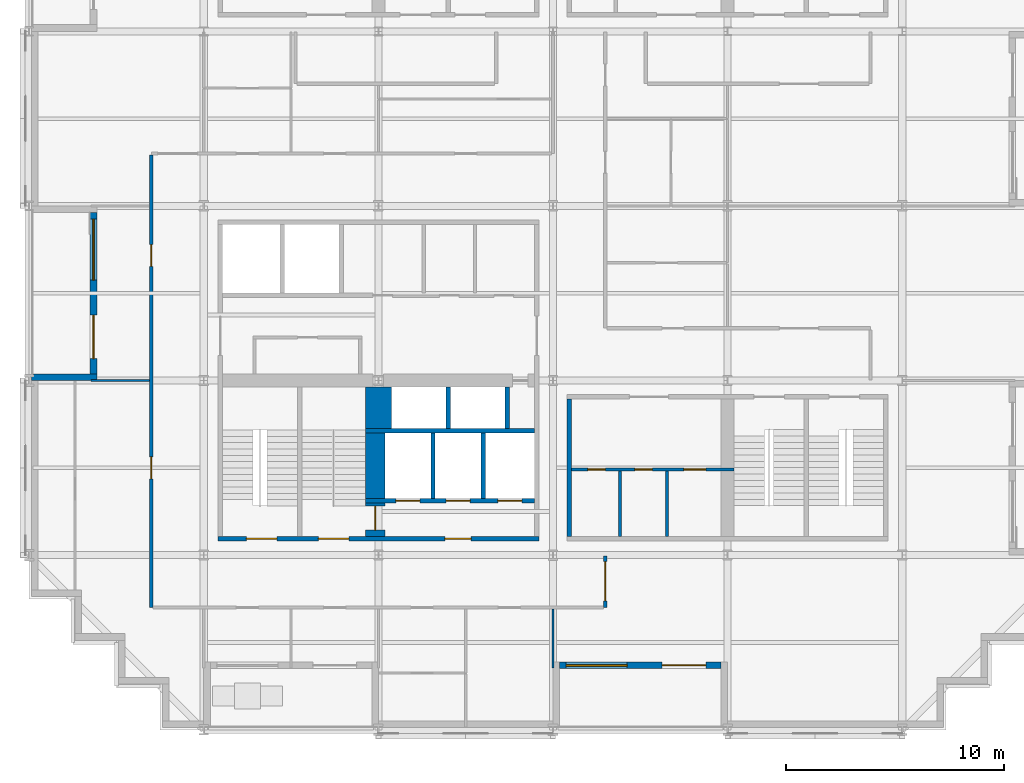
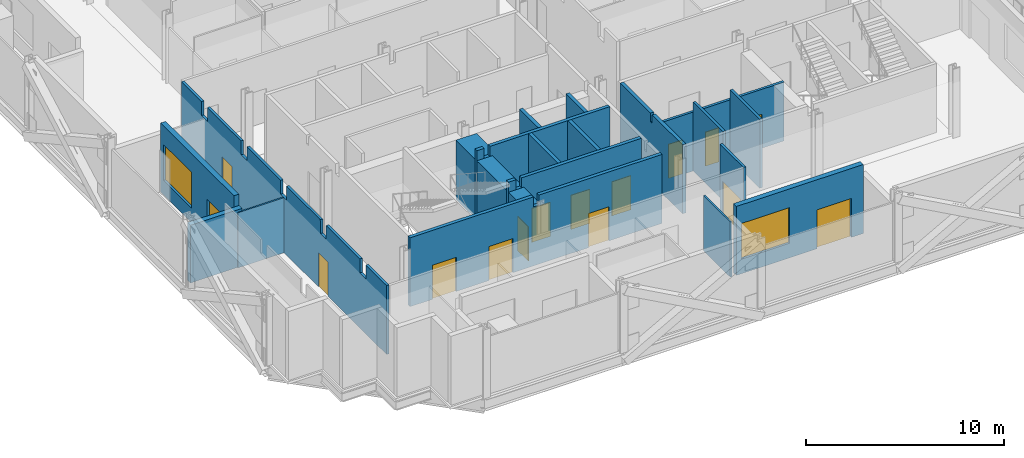
# One storey, part 5 of 13: 21 walls, 15 doors, 2 windows, 17 openings.
"""IFC4 building model written with IfcOpenShell, lengths in metres."""

import ifcopenshell
import ifcopenshell.guid

model = None  # the IFC model being written
_history = None  # IfcOwnerHistory: only IFC2X3 demands one
_inside = {}  # id of a spatial element -> (the spatial element, [elements in it])
_under = {}  # id of a project, library or spatial element -> (it, [spatial elements below it])
_declared = {}  # id of a project -> (the project, [libraries it declares])
_typed = {}  # id of a type object -> (the type object, [elements of that type])
_made_of = {}  # id of a material, layer set ... -> (it, [elements and type objects made of it])


def new_model(schema):
    """Start an empty IFC model of exactly this schema.

    Asked for "IFC4X3", IfcOpenShell would pick the latest addendum, in which some entities
    have other attributes; the version numbers below select the first issue.
    IFC2X3 requires an IfcOwnerHistory on every rooted entity: one is made here for all.
    """
    global model, _history
    if schema == "IFC4X3":
        model = ifcopenshell.file(schema_version=(4, 3, 0, 0))
    else:
        model = ifcopenshell.file(schema=schema)
    _inside.clear()
    _under.clear()
    _declared.clear()
    _typed.clear()
    _made_of.clear()
    _history = None
    if model.schema == "IFC2X3":
        org = make("IfcOrganization", Name="unknown")
        user = make(
            "IfcPersonAndOrganization",
            ThePerson=make("IfcPerson", FamilyName="unknown"),
            TheOrganization=org,
        )
        app = make(
            "IfcApplication",
            ApplicationDeveloper=org,
            Version="unknown",
            ApplicationFullName="unknown",
            ApplicationIdentifier="unknown",
        )
        _history = make(
            "IfcOwnerHistory",
            OwningUser=user,
            OwningApplication=app,
            ChangeAction="ADDED",
            CreationDate=0,
        )
    return model


def make(cls, **values):
    """One entity of the class cls with the attributes given. An attribute that is None is left unset."""
    return model.create_entity(
        cls, **{name: value for name, value in values.items() if value is not None}
    )


def rooted(cls, **values):
    """An entity with a GlobalId (a new one), such as an element, a storey or a relation."""
    return make(cls, GlobalId=ifcopenshell.guid.new(), OwnerHistory=_history, **values)


def si_unit(unit_type, name, prefix=None):
    """IfcSIUnit, for example si_unit("LENGTHUNIT", "METRE", prefix="MILLI")."""
    return make("IfcSIUnit", UnitType=unit_type, Prefix=prefix, Name=name)


def assignment(units):
    """IfcUnitAssignment: the units of a project."""
    return None if units is None else make("IfcUnitAssignment", Units=units)


def point(xyz):
    """IfcCartesianPoint."""
    return None if xyz is None else make("IfcCartesianPoint", Coordinates=xyz)


def direction(xyz):
    """IfcDirection."""
    return None if xyz is None else make("IfcDirection", DirectionRatios=xyz)


def frame(location, z_axis=None, x_axis=None):
    """IfcAxis2Placement3D, a coordinate frame: its origin and axes. An axis left out is left unset."""
    return make(
        "IfcAxis2Placement3D",
        Location=point(location),
        Axis=direction(z_axis),
        RefDirection=direction(x_axis),
    )


def frame_2d(location, x_axis=None):
    """IfcAxis2Placement2D, a coordinate frame in the plane: its origin and x axis."""
    return make(
        "IfcAxis2Placement2D", Location=point(location), RefDirection=direction(x_axis)
    )


def origin():
    """The frame at (0, 0, 0) with its axes left unset."""
    return frame((0.0, 0.0, 0.0))


def place(relative_to, where):
    """IfcLocalPlacement: puts the frame where relative to a parent placement (None: the world)."""
    return make(
        "IfcLocalPlacement", PlacementRelTo=relative_to, RelativePlacement=where
    )


def context(
    kind, dimensions, precision=None, world=None, true_north=None, identifier=None
):
    """IfcGeometricRepresentationContext, for example the 3D "Model" context."""
    return make(
        "IfcGeometricRepresentationContext",
        ContextIdentifier=identifier,
        ContextType=kind,
        CoordinateSpaceDimension=dimensions,
        Precision=precision,
        WorldCoordinateSystem=world,
        TrueNorth=true_north,
    )


def subcontext(parent, identifier, kind, view, scale=None):
    """IfcGeometricRepresentationSubContext, for example "Body" below "Model"."""
    return make(
        "IfcGeometricRepresentationSubContext",
        ContextIdentifier=identifier,
        ContextType=kind,
        ParentContext=parent,
        TargetScale=scale,
        TargetView=view,
    )


def project(units=None, contexts=None):
    """IfcProject with its units and contexts."""
    return rooted(
        "IfcProject",
        Name="project",
        RepresentationContexts=contexts,
        UnitsInContext=assignment(units),
    )


def spatial(cls, under=None, at=None, **own):
    """A site, building, storey or space (cls), placed at a placement, below another one or the project."""
    s = rooted(cls, ObjectPlacement=at, **own)
    if under is not None:
        _under.setdefault(under.id(), (under, []))[1].append(s)
    return s


def polyline(points):
    """IfcPolyline through the points."""
    return make("IfcPolyline", Points=[point(p) for p in points])


def profile(cls, at=None, kind="AREA", **sizes):
    """A parametric profile (cls). Its sizes go by their IFC names, for example OverallWidth=200.0."""
    return make(cls, ProfileType=kind, Position=at, **sizes)


def rectangle(**sizes):
    """IfcRectangleProfileDef."""
    return profile("IfcRectangleProfileDef", **sizes)


def outline(outer, holes=None, kind="AREA"):
    """IfcArbitraryClosedProfileDef: a profile drawn as a closed curve; with holes, ...WithVoids."""
    if holes is None:
        return make("IfcArbitraryClosedProfileDef", ProfileType=kind, OuterCurve=outer)
    return make(
        "IfcArbitraryProfileDefWithVoids",
        ProfileType=kind,
        OuterCurve=outer,
        InnerCurves=holes,
    )


def extrude(swept, where, along, depth):
    """IfcExtrudedAreaSolid: the profile swept, set in the frame where, extruded along a direction by depth."""
    return make(
        "IfcExtrudedAreaSolid",
        SweptArea=swept,
        Position=where,
        ExtrudedDirection=direction(along),
        Depth=depth,
    )


def shape(context_of_items, identifier, shape_type, items):
    """IfcShapeRepresentation: the items that make up one representation, for example the "Body"."""
    return make(
        "IfcShapeRepresentation",
        ContextOfItems=context_of_items,
        RepresentationIdentifier=identifier,
        RepresentationType=shape_type,
        Items=items,
    )


def material(Name=None, Category=None):
    """IfcMaterial."""
    return make("IfcMaterial", Name=Name, Category=Category)


def layer(
    of_material, thickness, ventilated=None, Name=None, Category=None, Priority=None
):
    """IfcMaterialLayer: one layer of a wall or slab, of a material (None: an air gap)."""
    return make(
        "IfcMaterialLayer",
        Material=of_material,
        LayerThickness=thickness,
        IsVentilated=ventilated,
        Name=Name,
        Category=Category,
        Priority=Priority,
    )


def layer_set(layers, Name=None):
    """IfcMaterialLayerSet."""
    return make("IfcMaterialLayerSet", MaterialLayers=layers, LayerSetName=Name)


def made_of(thing, what):
    """Note that an element or type object is made of a material, layer set ...; save() writes the relation."""
    if what is not None:
        _made_of.setdefault(what.id(), (what, []))[1].append(thing)
    return thing


def type_object(cls, material=None, **own):
    """A type object (cls), such as IfcWallType, which elements share."""
    return made_of(rooted(cls, **own), material)


def element(
    cls,
    number,
    at=None,
    inside=None,
    cuts=None,
    type_object=None,
    material=None,
    context=None,
    identifier="Body",
    shape_type=None,
    held_by="IfcProductDefinitionShape",
    body=None,
    shapes=None,
    **own,
):
    """One element of the class cls, such as IfcWall. Its Tag is "e" and its number.

    at: its placement. inside: the storey or other place that contains it. cuts: it is an
    opening in that element (IfcRelVoidsElement). A single representation is given by context,
    identifier, shape_type and body (its items); several are given by shapes. held_by: the class
    of the entity that holds the representations. save() writes the other relations.
    """
    e = rooted(cls, Tag="e%d" % number, ObjectPlacement=at, **own)
    if body is not None:
        shapes = [shape(context, identifier, shape_type, body)]
    if shapes is not None:
        e.Representation = make(held_by, Representations=shapes)
    if inside is not None:
        _inside.setdefault(inside.id(), (inside, []))[1].append(e)
    if cuts is not None:
        rooted(
            "IfcRelVoidsElement", RelatingBuildingElement=cuts, RelatedOpeningElement=e
        )
    if type_object is not None:
        _typed.setdefault(type_object.id(), (type_object, []))[1].append(e)
    return made_of(e, material)


def fill(opening, filler):
    """IfcRelFillsElement: the door or window that sits in an opening."""
    return rooted(
        "IfcRelFillsElement",
        RelatingOpeningElement=opening,
        RelatedBuildingElement=filler,
    )


def aggregate(whole, parts):
    """IfcRelAggregates: a whole, such as a stair, and the parts it consists of."""
    return rooted("IfcRelAggregates", RelatingObject=whole, RelatedObjects=parts)


def save(model, path):
    """Write the relations noted so far, then the file.

    IfcRelAggregates (storeys below a building ...), IfcRelContainedInSpatialStructure (elements
    in a storey), IfcRelDefinesByType, IfcRelAssociatesMaterial and IfcRelDeclares: one each for
    every whole, place, type object, material and project.
    """
    for whole, parts in _under.values():
        aggregate(whole, parts)
    for where, things in _inside.values():
        rooted(
            "IfcRelContainedInSpatialStructure",
            RelatedElements=things,
            RelatingStructure=where,
        )
    for kind, things in _typed.values():
        rooted("IfcRelDefinesByType", RelatedObjects=things, RelatingType=kind)
    for what, things in _made_of.values():
        rooted("IfcRelAssociatesMaterial", RelatedObjects=things, RelatingMaterial=what)
    for by, libraries in _declared.values():
        rooted("IfcRelDeclares", RelatingContext=by, RelatedDefinitions=libraries)
    model.write(path)


model = new_model("IFC4")

# Units and contexts
model_context = context("Model", 3, precision=1e-05, world=origin(), true_north=direction((0.0, 1.0)))
body_context = subcontext(model_context, "Body", "Model", "MODEL_VIEW")
ifc_project = project(units=[si_unit("LENGTHUNIT", "METRE"), si_unit("AREAUNIT", "SQUARE_METRE"), si_unit("VOLUMEUNIT", "CUBIC_METRE"), si_unit("PLANEANGLEUNIT", "RADIAN"), si_unit("MASSUNIT", "GRAM", prefix="KILO")], contexts=[model_context])

# Site, building, storey
site_placement = place(None, origin())
site = spatial("IfcSite", under=ifc_project, at=site_placement, CompositionType="ELEMENT")
building_placement = place(site_placement, origin())
building = spatial("IfcBuilding", under=site, at=building_placement, Name="Immortelle Media Tower", CompositionType="ELEMENT")
storey_placement = place(building_placement, frame((0.0, 0.0, 34.800048828125)))
storey = spatial("IfcBuildingStorey", under=building, at=storey_placement, Name="L04", CompositionType="ELEMENT", Elevation=34.800048828125)

# Wall, openings, doors
ifc_material_1 = material(Name="Fire-rated gypsum board", Category="gypsum")
ifc_layer_1 = layer(ifc_material_1, 0.02490234375)
ifc_material_2 = material(Name="Steel ASTM A653 SS Gr 50 stud frame with mineral wool", Category="steel")
ifc_layer_2 = layer(ifc_material_2, 0.10009765625)
ifc_layer_3 = layer(ifc_material_1, 0.02490234375)
ifc_layer_set_1 = layer_set([ifc_layer_1, ifc_layer_2, ifc_layer_3], Name="Steel ASTM A653 SS Gr 50 stud frame with mineral wool")
wall_type_1 = type_object("IfcWallType", Name="Core partition 150", PredefinedType="PARTITIONING", material=ifc_layer_set_1)
wall_1_placement = place(storey_placement, frame((24.85009765625, 11.925048828125, 0.0), z_axis=(0.0, 0.0, 1.0), x_axis=(1.0, 0.0, 0.0)))
wall_1 = element("IfcWall", 1, at=wall_1_placement, inside=storey, type_object=wall_type_1, Name="Core partition SE", PredefinedType="PARTITIONING", context=body_context, shape_type="SweptSolid", body=[
    extrude(rectangle(XDim=7.449951171875, YDim=0.14990234375, at=frame_2d((3.72509765625, 0.0))), origin(), (0.0, 0.0, 1.0), 3.6318359375),
])
opening_1_placement = place(wall_1_placement, frame((1.550048828125, 0.0, 0.0), z_axis=(0.0, 0.0, 1.0), x_axis=(-1.0, 0.0, 0.0)))
opening_1 = element("IfcOpeningElement", 2, at=opening_1_placement, cuts=wall_1, Name="Opening N1-K015", PredefinedType="OPENING", context=body_context, shape_type="SweptSolid", body=[
    extrude(rectangle(XDim=0.800048828125, YDim=2.10009765625, at=frame_2d((0.39990234375, 1.050048828125))), frame((0.0, 0.0849609375, 0.0), z_axis=(0.0, -1.0, 0.0), x_axis=(1.0, 0.0, 0.0)), (0.0, 0.0, 1.0), 0.169921875),
])
opening_2_placement = place(wall_1_placement, frame((3.699951171875, 0.0, 0.0), z_axis=(0.0, 0.0, 1.0), x_axis=(-1.0, 0.0, 0.0)))
opening_2 = element("IfcOpeningElement", 3, at=opening_2_placement, cuts=wall_1, Name="Opening N1-K016", PredefinedType="OPENING", context=body_context, shape_type="SweptSolid", body=[
    extrude(rectangle(XDim=0.800048828125, YDim=2.10009765625, at=frame_2d((0.39990234375, 1.050048828125))), frame((0.0, 0.0849609375, 0.0), z_axis=(0.0, -1.0, 0.0), x_axis=(1.0, 0.0, 0.0)), (0.0, 0.0, 1.0), 0.169921875),
])
opening_3_placement = place(wall_1_placement, frame((6.14990234375, 0.0, 0.0), z_axis=(0.0, 0.0, 1.0), x_axis=(-1.0, 0.0, 0.0)))
opening_3 = element("IfcOpeningElement", 4, at=opening_3_placement, cuts=wall_1, Name="Opening N1-K018", PredefinedType="OPENING", context=body_context, shape_type="SweptSolid", body=[
    extrude(rectangle(XDim=1.0, YDim=2.10009765625, at=frame_2d((0.5, 1.050048828125))), frame((0.0, 0.0849609375, 0.0), z_axis=(0.0, -1.0, 0.0), x_axis=(1.0, 0.0, 0.0)), (0.0, 0.0, 1.0), 0.169921875),
])
ifc_material_3 = material(Name="Timber", Category="wood")
door_type_1 = type_object("IfcDoorType", Name="Accessible toilet door 1000 x 2100", OperationType="NOTDEFINED", PredefinedType="NOTDEFINED", material=ifc_material_3)
door_1_placement = place(opening_3_placement, origin())
door_1 = element("IfcDoor", 5, at=door_1_placement, inside=storey, type_object=door_type_1, Name="Accessible toilet N1-K018", OperationType="SINGLE_SWING_RIGHT", OverallHeight=2.10009765625, OverallWidth=1.0, PredefinedType="NOTDEFINED", context=body_context, shape_type="SweptSolid", body=[
    extrude(rectangle(XDim=1.0, YDim=2.10009765625, at=frame_2d((0.5, 1.050048828125))), frame((0.0, 0.02490234375, 0.0), z_axis=(0.0, -1.0, 0.0), x_axis=(1.0, 0.0, 0.0)), (0.0, 0.0, 1.0), 0.050048828125),
])
fill(opening_3, door_1)
door_type_2 = type_object("IfcDoorType", Name="Toilet door 800 x 2100", OperationType="NOTDEFINED", PredefinedType="NOTDEFINED", material=ifc_material_3)
door_2_placement = place(opening_1_placement, origin())
door_2 = element("IfcDoor", 6, at=door_2_placement, inside=storey, type_object=door_type_2, Name="Toilet N1-K015", OperationType="SINGLE_SWING_RIGHT", OverallHeight=2.10009765625, OverallWidth=0.800048828125, PredefinedType="NOTDEFINED", context=body_context, shape_type="SweptSolid", body=[
    extrude(rectangle(XDim=0.800048828125, YDim=2.10009765625, at=frame_2d((0.39990234375, 1.050048828125))), frame((0.0, 0.02490234375, 0.0), z_axis=(0.0, -1.0, 0.0), x_axis=(1.0, 0.0, 0.0)), (0.0, 0.0, 1.0), 0.050048828125),
])
fill(opening_1, door_2)
door_3_placement = place(opening_2_placement, origin())
door_3 = element("IfcDoor", 7, at=door_3_placement, inside=storey, type_object=door_type_2, Name="Toilet N1-K016", OperationType="SINGLE_SWING_LEFT", OverallHeight=2.10009765625, OverallWidth=0.800048828125, PredefinedType="NOTDEFINED", context=body_context, shape_type="SweptSolid", body=[
    extrude(rectangle(XDim=0.800048828125, YDim=2.10009765625, at=frame_2d((0.39990234375, 1.050048828125))), frame((0.0, 0.02490234375, 0.0), z_axis=(0.0, -1.0, 0.0), x_axis=(1.0, 0.0, 0.0)), (0.0, 0.0, 1.0), 0.050048828125),
])
fill(opening_2, door_3)

# Walls
for number, where, z_axis, x_axis, name in (
    (8, (27.074951171875, 8.85009765625, 0.0), (0.0, 0.0, 1.0), (0.0, 1.0, 0.0), "Core partition SE"),
    (9, (29.22509765625, 8.85009765625, 0.0), (0.0, 0.0, 1.0), (0.0, 1.0, 0.0), "Core partition SE"),
):
    element("IfcWall", number, at=place(storey_placement, frame(where, z_axis=z_axis, x_axis=x_axis)), inside=storey, type_object=wall_type_1, Name=name, PredefinedType="PARTITIONING", context=body_context, shape_type="SweptSolid", body=[
        extrude(rectangle(XDim=3.0, YDim=0.14990234375, at=frame_2d((1.5, 0.0))), origin(), (0.0, 0.0, 1.0), 4.25),
    ])

# Wall, openings, doors
ifc_layer_4 = layer(ifc_material_1, 0.03759765625)
ifc_layer_5 = layer(ifc_material_2, 0.125)
ifc_layer_6 = layer(ifc_material_1, 0.03759765625)
ifc_layer_set_2 = layer_set([ifc_layer_4, ifc_layer_5, ifc_layer_6], Name="Steel ASTM A653 SS Gr 50 stud frame with mineral wool")
wall_type_2 = type_object("IfcWallType", Name="Core shaft wall 200", PredefinedType="PARTITIONING", material=ifc_layer_set_2)
wall_2_placement = place(storey_placement, frame((15.39990234375, 10.5, 0.0), z_axis=(0.0, 0.0, 1.0), x_axis=(1.0, 0.0, 0.0)))
wall_2 = element("IfcWall", 10, at=wall_2_placement, inside=storey, type_object=wall_type_2, Name="Core shaft wall SW", PredefinedType="PARTITIONING", context=body_context, shape_type="SweptSolid", body=[
    extrude(outline(polyline([(0.0, 0.0), (7.75, 0.0), (7.75, 4.25), (0.76708984375, 4.25), (0.76611328125, 3.6318359375), (0.43408203125, 3.6318359375), (0.43310546875, 4.25), (0.0, 4.25), (0.0, 0.0)])), frame((0.0, 0.10009765625, 0.0), z_axis=(0.0, -1.0, 0.0), x_axis=(1.0, 0.0, 0.0)), (0.0, 0.0, 1.0), 0.199951171875),
])
opening_4_placement = place(wall_2_placement, frame((1.39990234375, 0.0, 0.0)))
opening_4 = element("IfcOpeningElement", 11, at=opening_4_placement, cuts=wall_2, Name="Opening LD", PredefinedType="OPENING", context=body_context, shape_type="SweptSolid", body=[
    extrude(rectangle(XDim=1.10009765625, YDim=2.10009765625, at=frame_2d((0.550048828125, 1.050048828125))), frame((0.0, 0.10986328125, 0.0), z_axis=(0.0, -1.0, 0.0), x_axis=(1.0, 0.0, 0.0)), (0.0, 0.0, 1.0), 0.219970703125),
])
opening_5_placement = place(wall_2_placement, frame((3.699951171875, 0.0, 0.0)))
opening_5 = element("IfcOpeningElement", 12, at=opening_5_placement, cuts=wall_2, Name="Opening LD", PredefinedType="OPENING", context=body_context, shape_type="SweptSolid", body=[
    extrude(rectangle(XDim=1.10009765625, YDim=2.10009765625, at=frame_2d((0.550048828125, 1.050048828125))), frame((0.0, 0.10986328125, 0.0), z_axis=(0.0, -1.0, 0.0), x_axis=(1.0, 0.0, 0.0)), (0.0, 0.0, 1.0), 0.219970703125),
])
opening_6_placement = place(wall_2_placement, frame((6.074951171875, 0.0, 0.0)))
opening_6 = element("IfcOpeningElement", 13, at=opening_6_placement, cuts=wall_2, Name="Opening LD", PredefinedType="OPENING", context=body_context, shape_type="SweptSolid", body=[
    extrude(rectangle(XDim=1.10009765625, YDim=2.10009765625, at=frame_2d((0.550048828125, 1.050048828125))), frame((0.0, 0.10986328125, 0.0), z_axis=(0.0, -1.0, 0.0), x_axis=(1.0, 0.0, 0.0)), (0.0, 0.0, 1.0), 0.219970703125),
])
ifc_material_4 = material(Name="Stainless steel AISI 304", Category="steel")
door_type_3 = type_object("IfcDoorType", Name="Landing door 1100 x 2100", OperationType="SLIDING_TO_LEFT", PredefinedType="NOTDEFINED", material=ifc_material_4)
door_4_placement = place(opening_4_placement, origin())
door_4 = element("IfcDoor", 14, at=door_4_placement, inside=storey, type_object=door_type_3, Name="Landing door FF1 L04", OperationType="SLIDING_TO_LEFT", OverallHeight=2.10009765625, OverallWidth=1.10009765625, PredefinedType="NOTDEFINED", context=body_context, shape_type="SweptSolid", body=[
    extrude(rectangle(XDim=1.10009765625, YDim=2.10009765625, at=frame_2d((0.550048828125, 1.050048828125))), frame((0.0, 0.02490234375, 0.0), z_axis=(0.0, -1.0, 0.0), x_axis=(1.0, 0.0, 0.0)), (0.0, 0.0, 1.0), 0.050048828125),
])
fill(opening_4, door_4)
door_5_placement = place(opening_5_placement, origin())
door_5 = element("IfcDoor", 15, at=door_5_placement, inside=storey, type_object=door_type_3, Name="Landing door FF2 L04", OperationType="SLIDING_TO_LEFT", OverallHeight=2.10009765625, OverallWidth=1.10009765625, PredefinedType="NOTDEFINED", context=body_context, shape_type="SweptSolid", body=[
    extrude(rectangle(XDim=1.10009765625, YDim=2.10009765625, at=frame_2d((0.550048828125, 1.050048828125))), frame((0.0, 0.02490234375, 0.0), z_axis=(0.0, -1.0, 0.0), x_axis=(1.0, 0.0, 0.0)), (0.0, 0.0, 1.0), 0.050048828125),
])
fill(opening_5, door_5)
door_6_placement = place(opening_6_placement, origin())
door_6 = element("IfcDoor", 16, at=door_6_placement, inside=storey, type_object=door_type_3, Name="Landing door FF3 L04", OperationType="SLIDING_TO_LEFT", OverallHeight=2.10009765625, OverallWidth=1.10009765625, PredefinedType="NOTDEFINED", context=body_context, shape_type="SweptSolid", body=[
    extrude(rectangle(XDim=1.10009765625, YDim=2.10009765625, at=frame_2d((0.550048828125, 1.050048828125))), frame((0.0, 0.02490234375, 0.0), z_axis=(0.0, -1.0, 0.0), x_axis=(1.0, 0.0, 0.0)), (0.0, 0.0, 1.0), 0.050048828125),
])
fill(opening_6, door_6)

# Walls
wall_3_placement = place(storey_placement, frame((15.39990234375, 13.699951171875, 0.0), z_axis=(0.0, 0.0, 1.0), x_axis=(1.0, 0.0, 0.0)))
element("IfcWall", 17, at=wall_3_placement, inside=storey, type_object=wall_type_2, Name="Core shaft wall SW", PredefinedType="PARTITIONING", context=body_context, shape_type="SweptSolid", body=[
    extrude(outline(polyline([(0.0, 0.0), (7.75, 0.0), (7.75, 4.25), (0.76708984375, 4.25), (0.76611328125, 3.6318359375), (0.43408203125, 3.6318359375), (0.43310546875, 4.25), (0.0, 4.25), (0.0, 0.0)])), frame((0.0, 0.10009765625, 0.0), z_axis=(0.0, -1.0, 0.0), x_axis=(1.0, 0.0, 0.0)), (0.0, 0.0, 1.0), 0.199951171875),
])
wall_4_placement = place(storey_placement, frame((18.5, 10.60009765625, 0.0), z_axis=(0.0, 0.0, 1.0), x_axis=(0.0, 1.0, 0.0)))
element("IfcWall", 18, at=wall_4_placement, inside=storey, type_object=wall_type_2, Name="Core shaft wall SW", PredefinedType="PARTITIONING", context=body_context, shape_type="SweptSolid", body=[
    extrude(rectangle(XDim=3.0, YDim=0.199951171875, at=frame_2d((1.5, 0.0))), origin(), (0.0, 0.0, 1.0), 4.25),
])
wall_5_placement = place(storey_placement, frame((19.199951171875, 13.800048828125, 0.0), z_axis=(0.0, 0.0, 1.0), x_axis=(0.0, 1.0, 0.0)))
element("IfcWall", 19, at=wall_5_placement, inside=storey, type_object=wall_type_2, Name="Core shaft wall SW", PredefinedType="PARTITIONING", context=body_context, shape_type="SweptSolid", body=[
    extrude(rectangle(XDim=1.89990234375, YDim=0.199951171875, at=frame_2d((0.949951171875, 0.0))), origin(), (0.0, 0.0, 1.0), 4.25),
])
wall_6_placement = place(storey_placement, frame((20.800048828125, 10.60009765625, 0.0), z_axis=(0.0, 0.0, 1.0), x_axis=(0.0, 1.0, 0.0)))
element("IfcWall", 20, at=wall_6_placement, inside=storey, type_object=wall_type_2, Name="Core shaft wall SW", PredefinedType="PARTITIONING", context=body_context, shape_type="SweptSolid", body=[
    extrude(rectangle(XDim=3.0, YDim=0.199951171875, at=frame_2d((1.5, 0.0))), origin(), (0.0, 0.0, 1.0), 4.25),
])
wall_7_placement = place(storey_placement, frame((21.89990234375, 13.800048828125, 0.0), z_axis=(0.0, 0.0, 1.0), x_axis=(0.0, 1.0, 0.0)))
element("IfcWall", 21, at=wall_7_placement, inside=storey, type_object=wall_type_2, Name="Core shaft wall SW", PredefinedType="PARTITIONING", context=body_context, shape_type="SweptSolid", body=[
    extrude(rectangle(XDim=1.89990234375, YDim=0.199951171875, at=frame_2d((0.949951171875, 0.0))), origin(), (0.0, 0.0, 1.0), 4.25),
])
wall_8_placement = place(storey_placement, frame((24.75, 8.85009765625, 0.0), z_axis=(0.0, 0.0, 1.0), x_axis=(0.0, 1.0, 0.0)))
element("IfcWall", 22, at=wall_8_placement, inside=storey, type_object=wall_type_2, Name="Core shaft wall SE", PredefinedType="PARTITIONING", context=body_context, shape_type="SweptSolid", body=[
    extrude(outline(polyline([(0.0, 0.0), (6.2998046875, 0.0), (6.300048828125, 4.25), (3.238525390625, 4.25), (3.237548828125, 3.7080078125), (3.0625, 3.7080078125), (3.0615234375, 4.25), (0.0, 4.25), (0.0, 0.0)])), frame((0.0, 0.10009765625, 0.0), z_axis=(0.0, -1.0, 0.0), x_axis=(1.0, 0.0, 0.0)), (0.0, 0.0, 1.0), 0.199951171875),
])

# Wall, openings, doors
ifc_layer_7 = layer(ifc_material_1, 0.012451171875)
ifc_layer_8 = layer(ifc_material_2, 0.125)
ifc_layer_9 = layer(ifc_material_1, 0.012451171875)
ifc_layer_set_3 = layer_set([ifc_layer_7, ifc_layer_8, ifc_layer_9], Name="Steel ASTM A653 SS Gr 50 stud frame with mineral wool")
wall_type_3 = type_object("IfcWallType", Name="Corridor wall 150", PredefinedType="PARTITIONING", material=ifc_layer_set_3)
wall_9_placement = place(storey_placement, frame((5.60009765625, 5.60009765625, 0.0), z_axis=(0.0, 0.0, 1.0), x_axis=(0.0, 1.0, 0.0)))
wall_9 = element("IfcWall", 23, at=wall_9_placement, inside=storey, type_object=wall_type_3, Name="Partition L04-009", PredefinedType="PARTITIONING", context=body_context, shape_type="SweptSolid", body=[
    extrude(outline(polyline([(0.0, 0.0), (20.724853515625, 0.0), (20.72509765625, 4.25), (18.699951171875, 4.25), (18.697998046875, 3.390869140625), (18.10205078125, 3.390869140625), (18.10009765625, 4.25), (14.699951171875, 4.25), (14.697998046875, 3.390869140625), (14.10205078125, 3.390869140625), (14.10009765625, 4.25), (10.699951171875, 4.25), (10.697998046875, 3.390869140625), (10.10205078125, 3.390869140625), (10.10009765625, 4.25), (6.699951171875, 4.25), (6.697998046875, 3.390869140625), (6.10205078125, 3.390869140625), (6.10009765625, 4.25), (2.699951171875, 4.25), (2.697998046875, 3.390869140625), (2.10205078125, 3.390869140625), (2.10009765625, 4.25), (0.0, 4.25), (0.0, 0.0)])), frame((0.0, 0.074951171875, 0.0), z_axis=(0.0, -1.0, 0.0), x_axis=(1.0, 0.0, 0.0)), (0.0, 0.0, 1.0), 0.14990234375),
])
opening_7_placement = place(wall_9_placement, frame((5.89990234375, 0.0, 0.0)))
opening_7 = element("IfcOpeningElement", 24, at=opening_7_placement, cuts=wall_9, Name="Opening N1-F007", PredefinedType="OPENING", context=body_context, shape_type="SweptSolid", body=[
    extrude(rectangle(XDim=1.0, YDim=2.10009765625, at=frame_2d((0.5, 1.050048828125))), frame((0.0, 0.0849609375, 0.0), z_axis=(0.0, -1.0, 0.0), x_axis=(1.0, 0.0, 0.0)), (0.0, 0.0, 1.0), 0.169921875),
])
opening_8_placement = place(wall_9_placement, frame((15.625, 0.0, 0.0)))
opening_8 = element("IfcOpeningElement", 25, at=opening_8_placement, cuts=wall_9, Name="Opening N1-F009", PredefinedType="OPENING", context=body_context, shape_type="SweptSolid", body=[
    extrude(rectangle(XDim=1.0, YDim=2.10009765625, at=frame_2d((0.5, 1.050048828125))), frame((0.0, 0.0849609375, 0.0), z_axis=(0.0, -1.0, 0.0), x_axis=(1.0, 0.0, 0.0)), (0.0, 0.0, 1.0), 0.169921875),
])
ifc_material_5 = material(Name="Timber veneered door leaf, galvanised steel frame ASTM A653", Category="steel")
door_type_4 = type_object("IfcDoorType", Name="Room door 1000 x 2100", OperationType="NOTDEFINED", PredefinedType="DOOR", material=ifc_material_5)
door_7_placement = place(opening_7_placement, origin())
door_7 = element("IfcDoor", 26, at=door_7_placement, inside=storey, type_object=door_type_4, Name="Door N1-F007", OperationType="SINGLE_SWING_RIGHT", OverallHeight=2.10009765625, OverallWidth=1.0, PredefinedType="DOOR", context=body_context, shape_type="SweptSolid", body=[
    extrude(rectangle(XDim=1.0, YDim=2.10009765625, at=frame_2d((0.5, 1.050048828125))), frame((0.0, 0.02490234375, 0.0), z_axis=(0.0, -1.0, 0.0), x_axis=(1.0, 0.0, 0.0)), (0.0, 0.0, 1.0), 0.050048828125),
])
fill(opening_7, door_7)
door_8_placement = place(opening_8_placement, origin())
door_8 = element("IfcDoor", 27, at=door_8_placement, inside=storey, type_object=door_type_4, Name="Door N1-F009", OperationType="SINGLE_SWING_RIGHT", OverallHeight=2.10009765625, OverallWidth=1.0, PredefinedType="DOOR", context=body_context, shape_type="SweptSolid", body=[
    extrude(rectangle(XDim=1.0, YDim=2.10009765625, at=frame_2d((0.5, 1.050048828125))), frame((0.0, 0.02490234375, 0.0), z_axis=(0.0, -1.0, 0.0), x_axis=(1.0, 0.0, 0.0)), (0.0, 0.0, 1.0), 0.050048828125),
])
fill(opening_8, door_8)

# Wall, opening, door
wall_10_placement = place(storey_placement, frame((26.39990234375, 5.60009765625, 0.0), z_axis=(0.0, 0.0, 1.0), x_axis=(0.0, 1.0, 0.0)))
wall_10 = element("IfcWall", 28, at=wall_10_placement, inside=storey, type_object=wall_type_3, Name="Partition L04-010", PredefinedType="PARTITIONING", context=body_context, shape_type="SweptSolid", body=[
    extrude(rectangle(XDim=2.369873046875, YDim=0.14990234375, at=frame_2d((1.18505859375, 0.0))), origin(), (0.0, 0.0, 1.0), 4.25),
])
opening_9_placement = place(wall_10_placement, frame((0.300048828125, 0.0, 0.0)))
opening_9 = element("IfcOpeningElement", 29, at=opening_9_placement, cuts=wall_10, Name="Opening N1-F006", PredefinedType="OPENING", context=body_context, shape_type="SweptSolid", body=[
    extrude(rectangle(XDim=1.800048828125, YDim=2.10009765625, at=frame_2d((0.89990234375, 1.050048828125))), frame((0.0, 0.0849609375, 0.0), z_axis=(0.0, -1.0, 0.0), x_axis=(1.0, 0.0, 0.0)), (0.0, 0.0, 1.0), 0.169921875),
])
door_type_5 = type_object("IfcDoorType", Name="Room door 1800 x 2100", OperationType="DOUBLE_DOOR_SINGLE_SWING", PredefinedType="DOOR", material=ifc_material_5)
door_9_placement = place(opening_9_placement, origin())
door_9 = element("IfcDoor", 30, at=door_9_placement, inside=storey, type_object=door_type_5, Name="Door N1-F006", OperationType="DOUBLE_DOOR_SINGLE_SWING", OverallHeight=2.10009765625, OverallWidth=1.800048828125, PredefinedType="DOOR", context=body_context, shape_type="SweptSolid", body=[
    extrude(rectangle(XDim=1.800048828125, YDim=2.10009765625, at=frame_2d((0.89990234375, 1.050048828125))), frame((0.0, 0.02490234375, 0.0), z_axis=(0.0, -1.0, 0.0), x_axis=(1.0, 0.0, 0.0)), (0.0, 0.0, 1.0), 0.050048828125),
])
fill(opening_9, door_9)

# Wall, openings, door, window
ifc_material_6 = material(Name="Pale aluminium cladding panel", Category="aluminium")
ifc_layer_10 = layer(ifc_material_6, 0.030029296875)
ifc_layer_11 = layer(ifc_material_2, 0.257568359375)
ifc_material_7 = material(Name="Moisture-resistant gypsum board", Category="gypsum")
ifc_layer_12 = layer(ifc_material_7, 0.012451171875)
ifc_layer_set_4 = layer_set([ifc_layer_10, ifc_layer_11, ifc_layer_12], Name="Steel ASTM A653 SS Gr 50 stud frame with mineral wool")
wall_type_4 = type_object("IfcWallType", Name="Facade wall 300", PredefinedType="SOLIDWALL", material=ifc_layer_set_4)
wall_11_placement = place(storey_placement, frame((2.949951171875, 23.699951171875, 0.0), z_axis=(0.0, 0.0, 1.0), x_axis=(0.0, -1.0, 0.0)))
wall_11 = element("IfcWall", 31, at=wall_11_placement, inside=storey, type_object=wall_type_4, Name="Loggia wall L04 W0", PredefinedType="SOLIDWALL", context=body_context, shape_type="SweptSolid", body=[
    extrude(rectangle(XDim=7.39990234375, YDim=0.300048828125, at=frame_2d((3.699951171875, 0.0))), origin(), (0.0, 0.0, 1.0), 4.25),
])
opening_10_placement = place(wall_11_placement, frame((0.300048828125, 0.0, 0.89990234375)))
opening_10 = element("IfcOpeningElement", 32, at=opening_10_placement, cuts=wall_11, Name="Opening W1", PredefinedType="OPENING", context=body_context, shape_type="SweptSolid", body=[
    extrude(rectangle(XDim=2.800048828125, YDim=2.199951171875, at=frame_2d((1.39990234375, 1.10009765625))), frame((0.0, 0.159912109375, 0.0), z_axis=(0.0, -1.0, 0.0), x_axis=(1.0, 0.0, 0.0)), (0.0, 0.0, 1.0), 0.320068359375),
])
opening_11_placement = place(wall_11_placement, frame((4.699951171875, 0.0, 0.0)))
opening_11 = element("IfcOpeningElement", 33, at=opening_11_placement, cuts=wall_11, Name="Opening N1-E002", PredefinedType="OPENING", context=body_context, shape_type="SweptSolid", body=[
    extrude(rectangle(XDim=2.0, YDim=2.39990234375, at=frame_2d((1.0, 1.199951171875))), frame((0.0, 0.159912109375, 0.0), z_axis=(0.0, -1.0, 0.0), x_axis=(1.0, 0.0, 0.0)), (0.0, 0.0, 1.0), 0.320068359375),
])
ifc_material_8 = material(Name="Aluminium frame, glazed leaves", Category="aluminium")
door_type_6 = type_object("IfcDoorType", Name="Loggia door 2000 x 2400", OperationType="DOUBLE_DOOR_SINGLE_SWING", PredefinedType="DOOR", material=ifc_material_8)
door_10_placement = place(opening_11_placement, origin())
door_10 = element("IfcDoor", 34, at=door_10_placement, inside=storey, type_object=door_type_6, Name="Door N1-E002", OperationType="DOUBLE_DOOR_SINGLE_SWING", OverallHeight=2.39990234375, OverallWidth=2.0, PredefinedType="DOOR", context=body_context, shape_type="SweptSolid", body=[
    extrude(rectangle(XDim=2.0, YDim=2.39990234375, at=frame_2d((1.0, 1.199951171875))), frame((0.0, 0.02490234375, 0.0), z_axis=(0.0, -1.0, 0.0), x_axis=(1.0, 0.0, 0.0)), (0.0, 0.0, 1.0), 0.050048828125),
])
fill(opening_11, door_10)
ifc_material_9 = material(Name="Aluminium frame", Category="aluminium")
window_type = type_object("IfcWindowType", Name="Window 2800 x 2200", PartitioningType="SINGLE_PANEL", PredefinedType="WINDOW", material=ifc_material_9)
window_1_placement = place(opening_10_placement, origin())
window_1 = element("IfcWindow", 35, at=window_1_placement, inside=storey, type_object=window_type, Name="Window L04 L04-R0-B2", OverallHeight=2.199951171875, OverallWidth=2.800048828125, PartitioningType="SINGLE_PANEL", PredefinedType="WINDOW", context=body_context, shape_type="SweptSolid", body=[
    extrude(rectangle(XDim=2.800048828125, YDim=2.199951171875, at=frame_2d((1.39990234375, 1.10009765625))), frame((0.0, 0.030029296875, 0.0), z_axis=(0.0, -1.0, 0.0), x_axis=(1.0, 0.0, 0.0)), (0.0, 0.0, 1.0), 0.06005859375),
])
fill(opening_10, window_1)

# Wall
wall_12_placement = place(storey_placement, frame((0.10009765625, 16.14990234375, 0.0), z_axis=(0.0, 0.0, 1.0), x_axis=(1.0, 0.0, 0.0)))
element("IfcWall", 36, at=wall_12_placement, inside=storey, type_object=wall_type_4, Name="Loggia cheek wall L04 W", PredefinedType="SOLIDWALL", context=body_context, shape_type="SweptSolid", body=[
    extrude(rectangle(XDim=3.0, YDim=0.300048828125, at=frame_2d((1.5, 0.0))), origin(), (0.0, 0.0, 1.0), 3.552978515625),
])

# Wall, openings, door, window
wall_13_placement = place(storey_placement, frame((24.300048828125, 2.949951171875, 0.0), z_axis=(0.0, 0.0, 1.0), x_axis=(1.0, 0.0, 0.0)))
wall_13 = element("IfcWall", 37, at=wall_13_placement, inside=storey, type_object=wall_type_4, Name="Loggia wall L04 S7", PredefinedType="SOLIDWALL", context=body_context, shape_type="SweptSolid", body=[
    extrude(rectangle(XDim=7.39990234375, YDim=0.300048828125, at=frame_2d((3.699951171875, 0.0))), origin(), (0.0, 0.0, 1.0), 4.25),
])
opening_12_placement = place(wall_13_placement, frame((0.300048828125, 0.0, 0.89990234375)))
opening_12 = element("IfcOpeningElement", 38, at=opening_12_placement, cuts=wall_13, Name="Opening W1", PredefinedType="OPENING", context=body_context, shape_type="SweptSolid", body=[
    extrude(rectangle(XDim=2.800048828125, YDim=2.199951171875, at=frame_2d((1.39990234375, 1.10009765625))), frame((0.0, 0.159912109375, 0.0), z_axis=(0.0, -1.0, 0.0), x_axis=(1.0, 0.0, 0.0)), (0.0, 0.0, 1.0), 0.320068359375),
])
opening_13_placement = place(wall_13_placement, frame((4.699951171875, 0.0, 0.0)))
opening_13 = element("IfcOpeningElement", 39, at=opening_13_placement, cuts=wall_13, Name="Opening N1-E004", PredefinedType="OPENING", context=body_context, shape_type="SweptSolid", body=[
    extrude(rectangle(XDim=2.0, YDim=2.39990234375, at=frame_2d((1.0, 1.199951171875))), frame((0.0, 0.159912109375, 0.0), z_axis=(0.0, -1.0, 0.0), x_axis=(1.0, 0.0, 0.0)), (0.0, 0.0, 1.0), 0.320068359375),
])
door_11_placement = place(opening_13_placement, origin())
door_11 = element("IfcDoor", 40, at=door_11_placement, inside=storey, type_object=door_type_6, Name="Door N1-E004", OperationType="DOUBLE_DOOR_SINGLE_SWING", OverallHeight=2.39990234375, OverallWidth=2.0, PredefinedType="DOOR", context=body_context, shape_type="SweptSolid", body=[
    extrude(rectangle(XDim=2.0, YDim=2.39990234375, at=frame_2d((1.0, 1.199951171875))), frame((0.0, 0.02490234375, 0.0), z_axis=(0.0, -1.0, 0.0), x_axis=(1.0, 0.0, 0.0)), (0.0, 0.0, 1.0), 0.050048828125),
])
fill(opening_13, door_11)
window_2_placement = place(opening_12_placement, origin())
window_2 = element("IfcWindow", 41, at=window_2_placement, inside=storey, type_object=window_type, Name="Window L04 L04-R7-B2", OverallHeight=2.199951171875, OverallWidth=2.800048828125, PartitioningType="SINGLE_PANEL", PredefinedType="WINDOW", context=body_context, shape_type="SweptSolid", body=[
    extrude(rectangle(XDim=2.800048828125, YDim=2.199951171875, at=frame_2d((1.39990234375, 1.10009765625))), frame((0.0, 0.030029296875, 0.0), z_axis=(0.0, -1.0, 0.0), x_axis=(1.0, 0.0, 0.0)), (0.0, 0.0, 1.0), 0.06005859375),
])
fill(opening_12, window_2)

# Walls
ifc_material_10 = material(Name="Gypsum board", Category="gypsum")
ifc_layer_13 = layer(ifc_material_10, 0.012451171875)
ifc_layer_14 = layer(ifc_material_2, 0.074951171875)
ifc_layer_15 = layer(ifc_material_10, 0.012451171875)
ifc_layer_set_5 = layer_set([ifc_layer_13, ifc_layer_14, ifc_layer_15], Name="Steel ASTM A653 SS Gr 50 stud frame with mineral wool")
wall_type_5 = type_object("IfcWallType", Name="Partition 100", PredefinedType="PARTITIONING", material=ifc_layer_set_5)
for number, where, z_axis, x_axis, name in (
    (42, (24.0, 2.830078125, 0.0), (0.0, 0.0, 1.0), (0.0, 1.0, 0.0), "Partition L04-007"),
    (43, (2.830078125, 16.0, 0.0), (0.0, 0.0, 1.0), (1.0, 0.0, 0.0), "Partition L04-012"),
):
    element("IfcWall", number, at=place(storey_placement, frame(where, z_axis=z_axis, x_axis=x_axis)), inside=storey, type_object=wall_type_5, Name=name, PredefinedType="PARTITIONING", context=body_context, shape_type="SweptSolid", body=[
        extrude(rectangle(XDim=2.69482421875, YDim=0.10009765625, at=frame_2d((1.347412109375, 0.0))), origin(), (0.0, 0.0, 1.0), 3.390869140625),
    ])
ifc_material_11 = material(Name="Concrete C60", Category="concrete")
ifc_layer_16 = layer(ifc_material_11, 1.199951171875)
ifc_layer_set_6 = layer_set([ifc_layer_16], Name="Concrete C60")
wall_type_6 = type_object("IfcWallType", Name="Stair shaft wall 1200", PredefinedType="PARTITIONING", material=ifc_layer_set_6)
wall_14_placement = place(storey_placement, frame((16.0, 13.800048828125, 0.0), z_axis=(0.0, 0.0, 1.0), x_axis=(0.0, 1.0, 0.0)))
element("IfcWall", 44, at=wall_14_placement, inside=storey, type_object=wall_type_6, Name="Stair shaft wall SW", PredefinedType="PARTITIONING", context=body_context, shape_type="SweptSolid", body=[
    extrude(rectangle(XDim=1.89990234375, YDim=1.199951171875, at=frame_2d((0.949951171875, 0.0))), origin(), (0.0, 0.0, 1.0), 3.6318359375),
])

# Wall, openings, doors
ifc_layer_17 = layer(ifc_material_11, 0.199951171875)
ifc_layer_set_7 = layer_set([ifc_layer_17], Name="Concrete C60")
wall_type_7 = type_object("IfcWallType", Name="Stair shaft wall 200", PredefinedType="PARTITIONING", material=ifc_layer_set_7)
wall_15_placement = place(storey_placement, frame((8.64990234375, 8.75, 0.0), z_axis=(0.0, 0.0, 1.0), x_axis=(1.0, 0.0, 0.0)))
wall_15 = element("IfcWall", 45, at=wall_15_placement, inside=storey, type_object=wall_type_7, Name="Stair shaft wall SW", PredefinedType="PARTITIONING", context=body_context, shape_type="SweptSolid", body=[
    extrude(outline(polyline([(0.0, 0.0), (14.7001953125, 0.0), (14.699951171875, 4.25), (7.51708984375, 4.25), (7.51611328125, 3.6318359375), (7.18408203125, 3.6318359375), (7.18310546875, 4.25), (0.0, 4.25), (0.0, 0.0)])), frame((0.0, 0.10009765625, 0.0), z_axis=(0.0, -1.0, 0.0), x_axis=(1.0, 0.0, 0.0)), (0.0, 0.0, 1.0), 0.199951171875),
])
opening_14_placement = place(wall_15_placement, frame((1.300048828125, 0.0, 0.0)))
opening_14 = element("IfcOpeningElement", 46, at=opening_14_placement, cuts=wall_15, Name="Opening N1-K002", PredefinedType="OPENING", context=body_context, shape_type="SweptSolid", body=[
    extrude(rectangle(XDim=1.39990234375, YDim=2.10009765625, at=frame_2d((0.699951171875, 1.050048828125))), frame((0.0, 0.10986328125, 0.0), z_axis=(0.0, -1.0, 0.0), x_axis=(1.0, 0.0, 0.0)), (0.0, 0.0, 1.0), 0.219970703125),
])
opening_15_placement = place(wall_15_placement, frame((4.60009765625, 0.0, 0.0)))
opening_15 = element("IfcOpeningElement", 47, at=opening_15_placement, cuts=wall_15, Name="Opening N1-K004", PredefinedType="OPENING", context=body_context, shape_type="SweptSolid", body=[
    extrude(rectangle(XDim=1.39990234375, YDim=2.10009765625, at=frame_2d((0.699951171875, 1.050048828125))), frame((0.0, 0.10986328125, 0.0), z_axis=(0.0, -1.0, 0.0), x_axis=(1.0, 0.0, 0.0)), (0.0, 0.0, 1.0), 0.219970703125),
])
opening_16_placement = place(wall_15_placement, frame((10.39990234375, 0.0, 0.0)))
opening_16 = element("IfcOpeningElement", 48, at=opening_16_placement, cuts=wall_15, Name="Opening N1-K009", PredefinedType="OPENING", context=body_context, shape_type="SweptSolid", body=[
    extrude(rectangle(XDim=1.199951171875, YDim=2.10009765625, at=frame_2d((0.60009765625, 1.050048828125))), frame((0.0, 0.10986328125, 0.0), z_axis=(0.0, -1.0, 0.0), x_axis=(1.0, 0.0, 0.0)), (0.0, 0.0, 1.0), 0.219970703125),
])
ifc_material_12 = material(Name="Galvanised steel door leaf and frame ASTM A653", Category="steel")
door_type_7 = type_object("IfcDoorType", Name="Fire-fighting lobby door 1200 x 2100", OperationType="NOTDEFINED", PredefinedType="NOTDEFINED", material=ifc_material_12)
door_12_placement = place(opening_16_placement, origin())
door_12 = element("IfcDoor", 49, at=door_12_placement, inside=storey, type_object=door_type_7, Name="Fire-fighting lobby N1-K009", OperationType="SINGLE_SWING_LEFT", OverallHeight=2.10009765625, OverallWidth=1.199951171875, PredefinedType="NOTDEFINED", context=body_context, shape_type="SweptSolid", body=[
    extrude(rectangle(XDim=1.199951171875, YDim=2.10009765625, at=frame_2d((0.60009765625, 1.050048828125))), frame((0.0, 0.02490234375, 0.0), z_axis=(0.0, -1.0, 0.0), x_axis=(1.0, 0.0, 0.0)), (0.0, 0.0, 1.0), 0.050048828125),
])
fill(opening_16, door_12)
door_type_8 = type_object("IfcDoorType", Name="Stair door 1400 x 2100", OperationType="DOUBLE_DOOR_SINGLE_SWING", PredefinedType="NOTDEFINED", material=ifc_material_12)
door_13_placement = place(opening_14_placement, origin())
door_13 = element("IfcDoor", 50, at=door_13_placement, inside=storey, type_object=door_type_8, Name="Stair N1-K002", OperationType="DOUBLE_DOOR_SINGLE_SWING", OverallHeight=2.10009765625, OverallWidth=1.39990234375, PredefinedType="NOTDEFINED", context=body_context, shape_type="SweptSolid", body=[
    extrude(rectangle(XDim=1.39990234375, YDim=2.10009765625, at=frame_2d((0.699951171875, 1.050048828125))), frame((0.0, 0.02490234375, 0.0), z_axis=(0.0, -1.0, 0.0), x_axis=(1.0, 0.0, 0.0)), (0.0, 0.0, 1.0), 0.050048828125),
])
fill(opening_14, door_13)
door_14_placement = place(opening_15_placement, origin())
door_14 = element("IfcDoor", 51, at=door_14_placement, inside=storey, type_object=door_type_8, Name="Stair N1-K004", OperationType="DOUBLE_DOOR_SINGLE_SWING", OverallHeight=2.10009765625, OverallWidth=1.39990234375, PredefinedType="NOTDEFINED", context=body_context, shape_type="SweptSolid", body=[
    extrude(rectangle(XDim=1.39990234375, YDim=2.10009765625, at=frame_2d((0.699951171875, 1.050048828125))), frame((0.0, 0.02490234375, 0.0), z_axis=(0.0, -1.0, 0.0), x_axis=(1.0, 0.0, 0.0)), (0.0, 0.0, 1.0), 0.050048828125),
])
fill(opening_15, door_14)

# Wall, opening, door
ifc_layer_18 = layer(ifc_material_11, 0.89990234375)
ifc_layer_set_8 = layer_set([ifc_layer_18], Name="Concrete C60")
wall_type_8 = type_object("IfcWallType", Name="Stair shaft wall 900", PredefinedType="PARTITIONING", material=ifc_layer_set_8)
wall_16_placement = place(storey_placement, frame((15.85009765625, 8.85009765625, 0.0), z_axis=(0.0, 0.0, 1.0), x_axis=(0.0, 1.0, 0.0)))
wall_16 = element("IfcWall", 52, at=wall_16_placement, inside=storey, type_object=wall_type_8, Name="Stair shaft wall SW", PredefinedType="PARTITIONING", context=body_context, shape_type="SweptSolid", body=[
    extrude(rectangle(XDim=1.5498046875, YDim=0.89990234375, at=frame_2d((0.77490234375, 0.0))), origin(), (0.0, 0.0, 1.0), 3.6318359375),
])
opening_17_placement = place(wall_16_placement, frame((0.300048828125, 0.0, 0.0)))
opening_17 = element("IfcOpeningElement", 53, at=opening_17_placement, cuts=wall_16, Name="Opening N1-K005", PredefinedType="OPENING", context=body_context, shape_type="SweptSolid", body=[
    extrude(rectangle(XDim=1.10009765625, YDim=2.10009765625, at=frame_2d((0.550048828125, 1.050048828125))), frame((0.0, 0.4599609375, 0.0), z_axis=(0.0, -1.0, 0.0), x_axis=(1.0, 0.0, 0.0)), (0.0, 0.0, 1.0), 0.919921875),
])
door_type_9 = type_object("IfcDoorType", Name="Stair lobby door 1100 x 2100", OperationType="NOTDEFINED", PredefinedType="NOTDEFINED", material=ifc_material_12)
door_15_placement = place(opening_17_placement, origin())
door_15 = element("IfcDoor", 54, at=door_15_placement, inside=storey, type_object=door_type_9, Name="Stair lobby N1-K005", OperationType="SINGLE_SWING_LEFT", OverallHeight=2.10009765625, OverallWidth=1.10009765625, PredefinedType="NOTDEFINED", context=body_context, shape_type="SweptSolid", body=[
    extrude(rectangle(XDim=1.10009765625, YDim=2.10009765625, at=frame_2d((0.550048828125, 1.050048828125))), frame((0.0, 0.02490234375, 0.0), z_axis=(0.0, -1.0, 0.0), x_axis=(1.0, 0.0, 0.0)), (0.0, 0.0, 1.0), 0.050048828125),
])
fill(opening_17, door_15)

# Wall
wall_17_placement = place(storey_placement, frame((15.85009765625, 10.60009765625, 0.0), z_axis=(0.0, 0.0, 1.0), x_axis=(0.0, 1.0, 0.0)))
element("IfcWall", 55, at=wall_17_placement, inside=storey, type_object=wall_type_8, Name="Stair shaft wall SW", PredefinedType="PARTITIONING", context=body_context, shape_type="SweptSolid", body=[
    extrude(rectangle(XDim=3.0, YDim=0.89990234375, at=frame_2d((1.5, 0.0))), origin(), (0.0, 0.0, 1.0), 3.6318359375),
])

save(model, "model.ifc")
